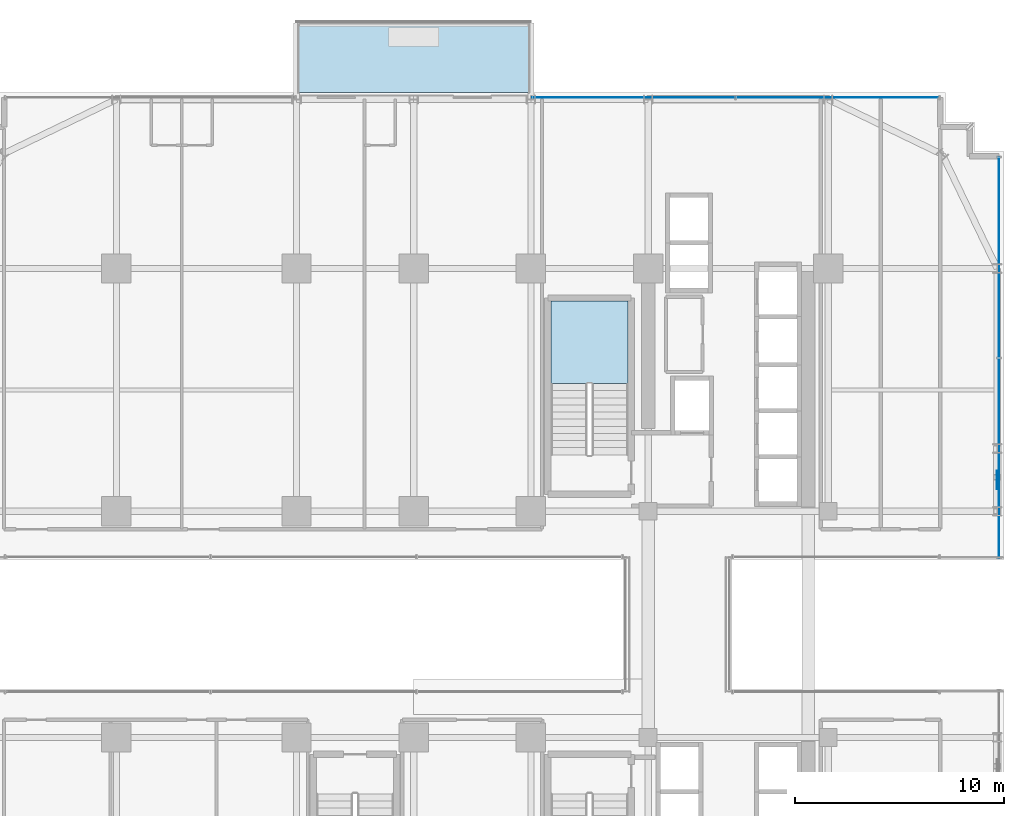
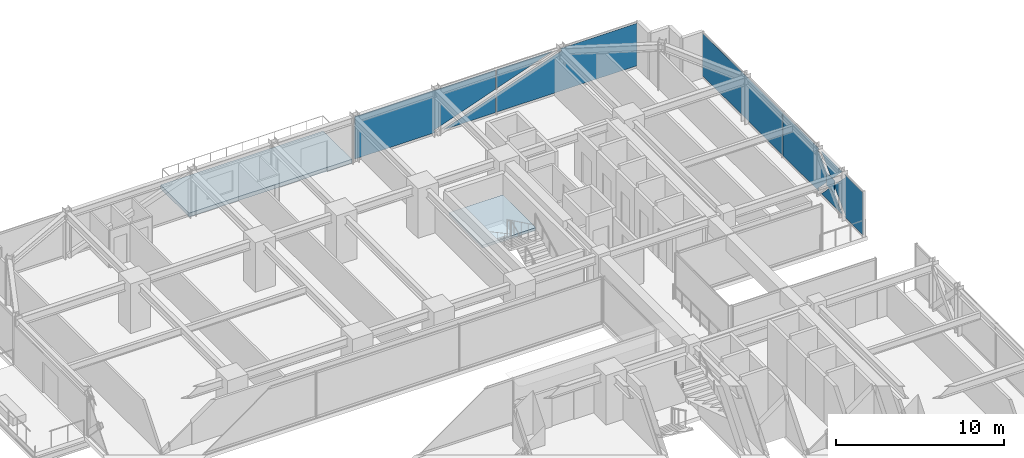
# One storey, part 34 of 43: 5 plates, 2 slabs, 3 elements without a shape of their own.
"""IFC4 building model written with IfcOpenShell, lengths in metres."""

from ifc_helpers import new_model, si_unit, direction, frame, origin, origin_2d, place, context, subcontext, project, spatial, polyline, rectangle, outline, extrude, source, transform, mapped, material, layer, layer_set, type_object, element, aggregate, save


model = new_model("IFC4")

# Units and contexts
model_context = context("Model", 3, precision=1e-05, world=origin(), true_north=direction((0.0, 1.0)))
body_context = subcontext(model_context, "Body", "Model", "MODEL_VIEW")
ifc_project = project(units=[si_unit("LENGTHUNIT", "METRE"), si_unit("AREAUNIT", "SQUARE_METRE"), si_unit("VOLUMEUNIT", "CUBIC_METRE"), si_unit("PLANEANGLEUNIT", "RADIAN"), si_unit("MASSUNIT", "GRAM", prefix="KILO")], contexts=[model_context])

# Site, building, storey
site_placement = place(None, origin())
site = spatial("IfcSite", under=ifc_project, at=site_placement, CompositionType="ELEMENT")
building_placement = place(site_placement, origin())
building = spatial("IfcBuilding", under=site, at=building_placement, Name="Nahalor Promenade Grand Hotel", CompositionType="ELEMENT")
storey_placement = place(building_placement, frame((0.0, 0.0, 47.0)))
storey = spatial("IfcBuildingStorey", under=building, at=storey_placement, Name="L10", CompositionType="ELEMENT", Elevation=47.0)

# Curtain wall, plates
ifc_material_1 = material(Name="Anodised Bronze Aluminium EN AW-6063 T6", Category="aluminium")
curtain_wall_type = type_object("IfcCurtainWallType", Name="CW3 Elliptical-Void Collar Unitised Curtain Wall", PredefinedType="USERDEFINED", material=ifc_material_1)
curtain_wall_1_placement = place(storey_placement, origin())
curtain_wall_1 = element("IfcCurtainWall", 1, at=curtain_wall_1_placement, inside=storey, type_object=curtain_wall_type, Name="L10 Curtain Wall CW-L10-N-3", ObjectType="UNITISED_CURTAIN_WALL", PredefinedType="USERDEFINED")
ifc_material_2 = material(Name="Low-E Laminated Solar Glass", Category="glass")
ifc_layer_1 = layer(ifc_material_2, 0.030029296875)
ifc_layer_set_1 = layer_set([ifc_layer_1], Name="Low-E Laminated Solar Glass")
plate_type_1 = type_object("IfcPlateType", Name="CWP3 High-Wind Laminated Bronze IGU 30mm", PredefinedType="CURTAIN_PANEL", material=ifc_layer_set_1)
plate_1_placement = place(storey_placement, frame((7.70751953125, 25.159912109375, 0.14013671875), z_axis=(0.0, 0.0, 1.0), x_axis=(1.0, 0.0, 0.0)))
plate_1 = element("IfcPlate", 2, at=plate_1_placement, type_object=plate_type_1, Name="CW-L10-N-3 Glazing Panel 0-0", PredefinedType="CURTAIN_PANEL", context=body_context, shape_type="SweptSolid", body=[
    extrude(outline(polyline([(-4.83740234375, 3.090087890625), (-4.83740234375, 0.0), (0.66943359375, 0.0), (0.601806640625, 0.18994140625), (4.83740234375, 1.7021484375), (4.83740234375, 3.090087890625), (-4.83740234375, 3.090087890625)])), frame((0.0, 0.01513671875, 0.0), z_axis=(0.0, -1.0, 0.0), x_axis=(1.0, 0.0, 0.0)), (0.0, 0.0, 1.0), 0.030029296875),
    extrude(outline(polyline([(1.25927734375, 0.0), (4.83740234375, 0.0), (4.83740234375, 1.27734375), (1.25927734375, 0.0)])), frame((0.0, 0.01513671875, 0.0), z_axis=(0.0, -1.0, 0.0), x_axis=(1.0, 0.0, 0.0)), (0.0, 0.0, 1.0), 0.030029296875),
])
plate_2_placement = place(storey_placement, frame((17.452392578125, 25.159912109375, 0.14013671875), z_axis=(0.0, 0.0, 1.0), x_axis=(1.0, 0.0, 0.0)))
plate_2 = element("IfcPlate", 3, at=plate_2_placement, type_object=plate_type_1, Name="CW-L10-N-3 Glazing Panel 1-0", PredefinedType="CURTAIN_PANEL", context=body_context, shape_type="SweptSolid", body=[
    extrude(outline(polyline([(4.83740234375, 0.0), (4.83740234375, 3.090087890625), (-0.429443359375, 3.090087890625), (-0.36181640625, 2.900146484375), (-4.83740234375, 1.30224609375), (-4.83740234375, 0.0), (4.83740234375, 0.0)])), frame((0.0, 0.01513671875, 0.0), z_axis=(0.0, -1.0, 0.0), x_axis=(1.0, 0.0, 0.0)), (0.0, 0.0, 1.0), 0.030029296875),
    extrude(outline(polyline([(-1.019287109375, 3.090087890625), (-4.83740234375, 3.090087890625), (-4.83740234375, 1.72705078125), (-1.019287109375, 3.090087890625)])), frame((0.0, 0.01513671875, 0.0), z_axis=(0.0, -1.0, 0.0), x_axis=(1.0, 0.0, 0.0)), (0.0, 0.0, 1.0), 0.030029296875),
])
aggregate(curtain_wall_1, [plate_1, plate_2])

# Curtain wall, plate
curtain_wall_2_placement = place(storey_placement, origin())
curtain_wall_2 = element("IfcCurtainWall", 4, at=curtain_wall_2_placement, inside=storey, type_object=curtain_wall_type, Name="L10 Curtain Wall CW-L10-E-2", ObjectType="UNITISED_CURTAIN_WALL", PredefinedType="USERDEFINED")
plate_3_placement = place(storey_placement, frame((25.159912109375, 7.9326171875, 0.14013671875), z_axis=(0.0, 0.0, 1.0), x_axis=(0.0, 1.0, 0.0)))
plate_3 = element("IfcPlate", 5, at=plate_3_placement, type_object=plate_type_1, Name="CW-L10-E-2 Glazing Panel 0-0", PredefinedType="CURTAIN_PANEL", context=body_context, shape_type="SweptSolid", body=[
    extrude(outline(polyline([(-4.762451171875, 3.090087890625), (-4.762451171875, 0.0), (-2.55810546875, 0.0), (-2.693115234375, 0.1318359375), (-1.31201171875, 1.544921875), (-2.693115234375, 2.9580078125), (-2.55810546875, 3.090087890625), (-4.762451171875, 3.090087890625)])), frame((0.0, 0.01513671875, 0.0), z_axis=(0.0, -1.0, 0.0), x_axis=(1.0, 0.0, 0.0)), (0.0, 0.0, 1.0), 0.030029296875),
    extrude(outline(polyline([(-1.032470703125, 1.2587890625), (-2.2626953125, 0.0), (0.197509765625, 0.0), (-1.032470703125, 1.2587890625)])), frame((0.0, 0.01513671875, 0.0), z_axis=(0.0, -1.0, 0.0), x_axis=(1.0, 0.0, 0.0)), (0.0, 0.0, 1.0), 0.030029296875),
    extrude(outline(polyline([(-1.032470703125, 1.831298828125), (0.19775390625, 3.090087890625), (-2.2626953125, 3.090087890625), (-1.032470703125, 1.831298828125)])), frame((0.0, 0.01513671875, 0.0), z_axis=(0.0, -1.0, 0.0), x_axis=(1.0, 0.0, 0.0)), (0.0, 0.0, 1.0), 0.030029296875),
    extrude(outline(polyline([(4.762451171875, 0.0), (4.762451171875, 3.090087890625), (0.492919921875, 3.090087890625), (0.6279296875, 2.9580078125), (-0.7529296875, 1.544921875), (0.6279296875, 0.1318359375), (0.492919921875, 0.0), (4.762451171875, 0.0)])), frame((0.0, 0.01513671875, 0.0), z_axis=(0.0, -1.0, 0.0), x_axis=(1.0, 0.0, 0.0)), (0.0, 0.0, 1.0), 0.030029296875),
])

# Stair, slab
ifc_material_3 = material(Name="Concrete B-50 (C40/50)", Category="concrete")
stair_type = type_object("IfcStairType", Name="Stair-ST1", PredefinedType="HALF_TURN_STAIR", material=ifc_material_3)
stair_placement = place(storey_placement, origin())
stair = element("IfcStair", 6, at=stair_placement, inside=storey, type_object=stair_type, Name="L10 ST1", PredefinedType="HALF_TURN_STAIR")
ifc_layer_2 = layer(ifc_material_3, 0.199951171875)
ifc_layer_set_2 = layer_set([ifc_layer_2], Name="Concrete B-50 (C40/50)")
slab_type_1 = type_object("IfcSlabType", Name="Landing-ST1", PredefinedType="LANDING", material=ifc_layer_set_2)
slab_1_placement = place(storey_placement, frame((0.0, 0.0, 1.625)))
slab_1 = element("IfcSlab", 7, at=slab_1_placement, type_object=slab_type_1, Name="ST1 landing 1", PredefinedType="LANDING", context=body_context, shape_type="SweptSolid", body=[
    extrude(outline(polyline([(7.449951171875, 11.5), (7.449951171875, 15.449951171875), (3.75, 15.449951171875), (3.75, 11.5), (7.449951171875, 11.5)])), origin(), (0.0, 0.0, 1.0), 0.199951171875),
])
aggregate(stair, [slab_1])

# Slab
ifc_layer_3 = layer(ifc_material_3, 0.280029296875)
ifc_layer_set_3 = layer_set([ifc_layer_3], Name="Concrete B-50 (C40/50)")
slab_type_2 = type_object("IfcSlabType", Name="Slab-Balcony-280", PredefinedType="FLOOR", material=ifc_layer_set_3)
slab_2_placement = place(storey_placement, frame((0.0, 0.0, -0.280029296875)))
element("IfcSlab", 8, at=slab_2_placement, inside=storey, type_object=slab_type_2, Name="L10 Cantilevered Planted Balcony 1", PredefinedType="FLOOR", context=body_context, shape_type="SweptSolid", body=[
    extrude(outline(polyline([(-8.39990234375, 25.39990234375), (2.800048828125, 25.39990234375), (2.800048828125, 28.800048828125), (-8.39990234375, 28.800048828125), (-8.39990234375, 25.39990234375)])), origin(), (0.0, 0.0, 1.0), 0.280029296875),
])

# Plate
ifc_material_4 = material(Name="Steel S355J2", Category="steel")
ifc_layer_4 = layer(ifc_material_4, 0.035888671875)
ifc_layer_set_4 = layer_set([ifc_layer_4], Name="Steel S355J2")
plate_type_2 = type_object("IfcPlateType", Name="Plate-CrossGusset-36", PredefinedType="USERDEFINED", material=ifc_layer_set_4)
shared_shape_1 = source(origin(), body_context, "Body", "SweptSolid", [
    extrude(rectangle(XDim=0.89990234375, YDim=0.035888671875, at=origin_2d()), origin(), (0.0, 0.0, 1.0), 0.89990234375),
])
plate_4_placement = place(storey_placement, frame((25.080078125, 6.89990234375, 1.235107421875), z_axis=(0.0, 0.0, 1.0), x_axis=(0.0, 1.0, 0.0)))
element("IfcPlate", 9, at=plate_4_placement, inside=storey, type_object=plate_type_2, Name="PL-L10-VXX-E1", ObjectType="GUSSET_PLATE", PredefinedType="USERDEFINED", context=body_context, shape_type="MappedRepresentation", body=[
    mapped(shared_shape_1, transform((0.0, 0.0, 0.0), scale=1.0)),
])

shared_shape_2 = source(origin(), body_context, "Body", "SweptSolid", [
    extrude(rectangle(XDim=9.52490234375, YDim=0.030029296875, at=origin_2d()), origin(), (0.0, 0.0, 1.0), 3.090087890625),
])
plate_5_placement = place(storey_placement, frame((25.159912109375, 17.527587890625, 0.14013671875), z_axis=(0.0, 0.0, 1.0), x_axis=(0.0, 1.0, 0.0)))
plate_5 = element("IfcPlate", 10, at=plate_5_placement, type_object=plate_type_1, Name="CW-L10-E-2 Glazing Panel 1-0", PredefinedType="CURTAIN_PANEL", context=body_context, shape_type="MappedRepresentation", body=[
    mapped(shared_shape_2, transform((0.0, 0.0, 0.0), scale=1.0)),
])

aggregate(curtain_wall_2, [plate_3, plate_5])

save(model, "model.ifc")
